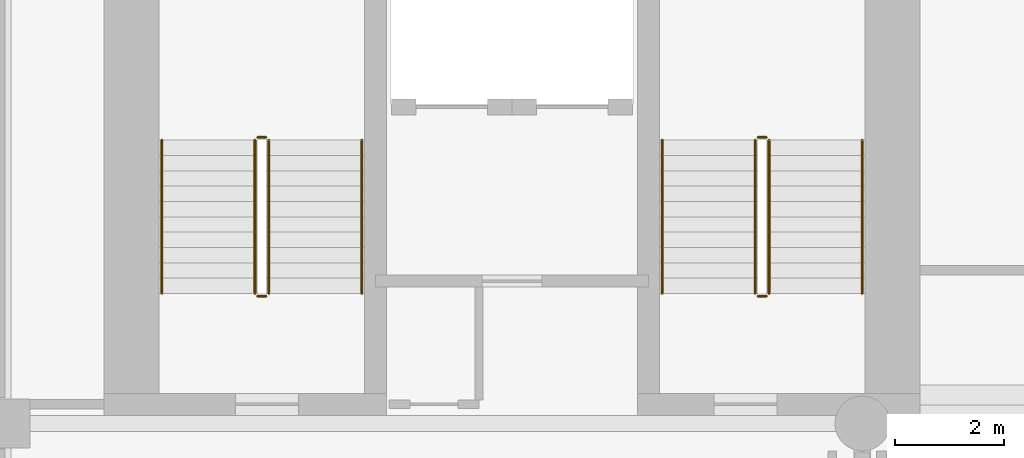
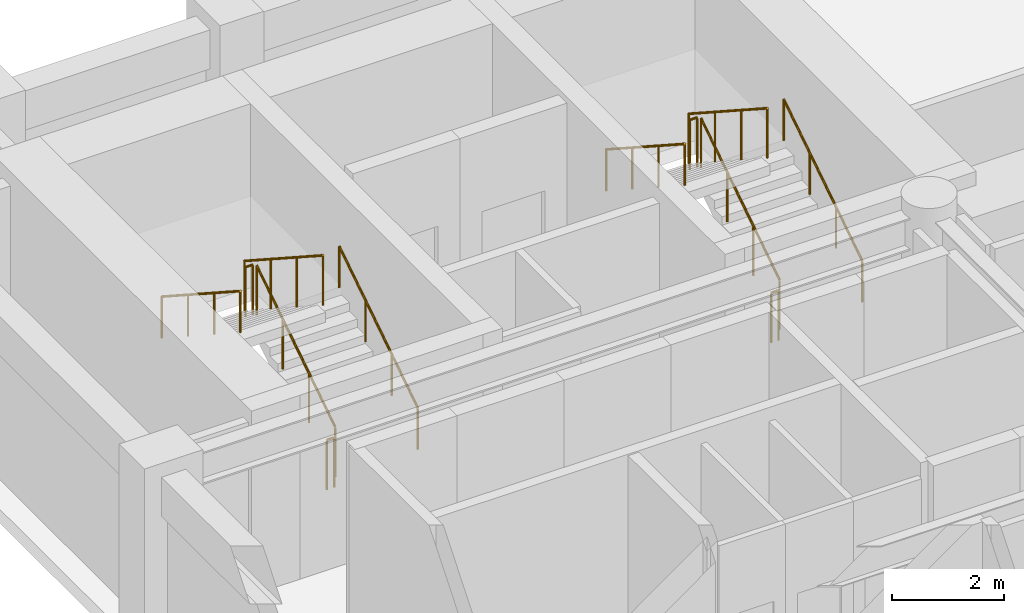
# One storey, part 6 of 8: 12 railings.
"""IFC4 building model written with IfcOpenShell, lengths in metres."""

from ifc_helpers import new_model, si_unit, direction, frame, origin, origin_2d, place, context, subcontext, project, spatial, circle, extrude, material, type_object, element, save


model = new_model("IFC4")

# Units and contexts
model_context = context("Model", 3, precision=1e-05, world=origin(), true_north=direction((0.0, 1.0)))
body_context = subcontext(model_context, "Body", "Model", "MODEL_VIEW")
ifc_project = project(units=[si_unit("LENGTHUNIT", "METRE"), si_unit("AREAUNIT", "SQUARE_METRE"), si_unit("VOLUMEUNIT", "CUBIC_METRE"), si_unit("PLANEANGLEUNIT", "RADIAN"), si_unit("MASSUNIT", "GRAM", prefix="KILO")], contexts=[model_context])

# Site, building, storey
site_placement = place(None, origin())
site = spatial("IfcSite", under=ifc_project, at=site_placement, CompositionType="ELEMENT")
building_placement = place(site_placement, origin())
building = spatial("IfcBuilding", under=site, at=building_placement, Name="Sulina Concourse Tower", CompositionType="ELEMENT")
storey_placement = place(building_placement, frame((0.0, 0.0, 42.60009765625)))
storey = spatial("IfcBuildingStorey", under=building, at=storey_placement, Name="L10", CompositionType="ELEMENT", Elevation=42.60009765625)

# Railings
ifc_material_1 = material(Name="Galvanised steel railing", Category="steel")
railing_type_1 = type_object("IfcRailingType", Name="Core Stair Steel Guardrail 1150mm", PredefinedType="GUARDRAIL", material=ifc_material_1)
railing_1_placement = place(storey_placement, frame((5.554931640625, 36.375, 0.181640625)))
element("IfcRailing", 1, at=railing_1_placement, inside=storey, type_object=railing_type_1, Name="L10 ST-1 stair guard 1", PredefinedType="GUARDRAIL", context=body_context, shape_type="SweptSolid", body=[
    extrude(circle(Radius=0.02392578125, at=origin_2d()), frame((0.0, 0.0, 1.076171875), z_axis=(0.0, 0.838672427954, 0.544636170843), x_axis=(-1.0, 0.0, 0.0)), (0.0, 0.0, 1.0), 3.338623046875),
    extrude(circle(Radius=0.02099609375, at=origin_2d()), origin(), (0.0, 0.0, 1.0), 1.052001953125),
    extrude(circle(Radius=0.02099609375, at=origin_2d()), frame((0.0, 0.933349609375, 0.606201171875)), (0.0, 0.0, 1.0), 1.052001953125),
    extrude(circle(Radius=0.02099609375, at=origin_2d()), frame((0.0, 1.86669921875, 1.212158203125)), (0.0, 0.0, 1.0), 1.052001953125),
    extrude(circle(Radius=0.02099609375, at=origin_2d()), frame((0.0, 2.800048828125, 1.818359375)), (0.0, 0.0, 1.0), 1.052001953125),
])
railing_2_placement = place(storey_placement, frame((5.5048828125, 39.22509765625, 2.0)))
element("IfcRailing", 2, at=railing_2_placement, inside=storey, type_object=railing_type_1, Name="L10 ST-1 stair guard 2", PredefinedType="GUARDRAIL", context=body_context, shape_type="SweptSolid", body=[
    extrude(circle(Radius=0.02392578125, at=origin_2d()), frame((0.0, 0.0, 1.076171875), z_axis=(-1.0, 0.0, 0.0), x_axis=(0.0, -1.0, 0.0)), (0.0, 0.0, 1.0), 0.14990234375),
    extrude(circle(Radius=0.02099609375, at=origin_2d()), origin(), (0.0, 0.0, 1.0), 1.052001953125),
    extrude(circle(Radius=0.02099609375, at=origin_2d()), frame((-0.14990234375, 0.0, 0.0)), (0.0, 0.0, 1.0), 1.052001953125),
])
railing_3_placement = place(storey_placement, frame((5.304931640625, 39.175048828125, 2.181640625)))
element("IfcRailing", 3, at=railing_3_placement, inside=storey, type_object=railing_type_1, Name="L10 ST-1 stair guard 3", PredefinedType="GUARDRAIL", context=body_context, shape_type="SweptSolid", body=[
    extrude(circle(Radius=0.02392578125, at=origin_2d()), frame((0.0, 0.0, 1.076171875), z_axis=(0.0, -0.838672427954, 0.544636170843), x_axis=(1.0, 0.0, 0.0)), (0.0, 0.0, 1.0), 3.338623046875),
    extrude(circle(Radius=0.02099609375, at=origin_2d()), origin(), (0.0, 0.0, 1.0), 1.052001953125),
    extrude(circle(Radius=0.02099609375, at=origin_2d()), frame((0.0, -0.933349609375, 0.606201171875)), (0.0, 0.0, 1.0), 1.052001953125),
    extrude(circle(Radius=0.02099609375, at=origin_2d()), frame((0.0, -1.86669921875, 1.212158203125)), (0.0, 0.0, 1.0), 1.052001953125),
    extrude(circle(Radius=0.02099609375, at=origin_2d()), frame((0.0, -2.800048828125, 1.818359375)), (0.0, 0.0, 1.0), 1.052001953125),
])
railing_4_placement = place(storey_placement, frame((5.5048828125, 36.324951171875, 0.0)))
element("IfcRailing", 4, at=railing_4_placement, inside=storey, type_object=railing_type_1, Name="L10 ST-1 stair guard 4", PredefinedType="GUARDRAIL", context=body_context, shape_type="SweptSolid", body=[
    extrude(circle(Radius=0.02392578125, at=origin_2d()), frame((0.0, 0.0, 1.076171875), z_axis=(-1.0, 0.0, 0.0), x_axis=(0.0, -1.0, 0.0)), (0.0, 0.0, 1.0), 0.14990234375),
    extrude(circle(Radius=0.02099609375, at=origin_2d()), origin(), (0.0, 0.0, 1.0), 1.052001953125),
    extrude(circle(Radius=0.02099609375, at=origin_2d()), frame((-0.14990234375, 0.0, 0.0)), (0.0, 0.0, 1.0), 1.052001953125),
])
railing_5_placement = place(storey_placement, frame((14.695068359375, 36.375, 0.181640625)))
element("IfcRailing", 5, at=railing_5_placement, inside=storey, type_object=railing_type_1, Name="L10 ST-2 stair guard 1", PredefinedType="GUARDRAIL", context=body_context, shape_type="SweptSolid", body=[
    extrude(circle(Radius=0.02392578125, at=origin_2d()), frame((0.0, 0.0, 1.076171875), z_axis=(0.0, 0.838672427954, 0.544636170843), x_axis=(-1.0, 0.0, 0.0)), (0.0, 0.0, 1.0), 3.338623046875),
    extrude(circle(Radius=0.02099609375, at=origin_2d()), origin(), (0.0, 0.0, 1.0), 1.052001953125),
    extrude(circle(Radius=0.02099609375, at=origin_2d()), frame((0.0, 0.933349609375, 0.606201171875)), (0.0, 0.0, 1.0), 1.052001953125),
    extrude(circle(Radius=0.02099609375, at=origin_2d()), frame((0.0, 1.86669921875, 1.212158203125)), (0.0, 0.0, 1.0), 1.052001953125),
    extrude(circle(Radius=0.02099609375, at=origin_2d()), frame((0.0, 2.800048828125, 1.818359375)), (0.0, 0.0, 1.0), 1.052001953125),
])
railing_6_placement = place(storey_placement, frame((14.64501953125, 39.22509765625, 2.0)))
element("IfcRailing", 6, at=railing_6_placement, inside=storey, type_object=railing_type_1, Name="L10 ST-2 stair guard 2", PredefinedType="GUARDRAIL", context=body_context, shape_type="SweptSolid", body=[
    extrude(circle(Radius=0.02392578125, at=origin_2d()), frame((0.0, 0.0, 1.076171875), z_axis=(-1.0, 0.0, 0.0), x_axis=(0.0, -1.0, 0.0)), (0.0, 0.0, 1.0), 0.14990234375),
    extrude(circle(Radius=0.02099609375, at=origin_2d()), origin(), (0.0, 0.0, 1.0), 1.052001953125),
    extrude(circle(Radius=0.02099609375, at=origin_2d()), frame((-0.14990234375, 0.0, 0.0)), (0.0, 0.0, 1.0), 1.052001953125),
])
railing_7_placement = place(storey_placement, frame((14.445068359375, 39.175048828125, 2.181640625)))
element("IfcRailing", 7, at=railing_7_placement, inside=storey, type_object=railing_type_1, Name="L10 ST-2 stair guard 3", PredefinedType="GUARDRAIL", context=body_context, shape_type="SweptSolid", body=[
    extrude(circle(Radius=0.02392578125, at=origin_2d()), frame((0.0, 0.0, 1.076171875), z_axis=(0.0, -0.838672427954, 0.544636170843), x_axis=(1.0, 0.0, 0.0)), (0.0, 0.0, 1.0), 3.338623046875),
    extrude(circle(Radius=0.02099609375, at=origin_2d()), origin(), (0.0, 0.0, 1.0), 1.052001953125),
    extrude(circle(Radius=0.02099609375, at=origin_2d()), frame((0.0, -0.933349609375, 0.606201171875)), (0.0, 0.0, 1.0), 1.052001953125),
    extrude(circle(Radius=0.02099609375, at=origin_2d()), frame((0.0, -1.86669921875, 1.212158203125)), (0.0, 0.0, 1.0), 1.052001953125),
    extrude(circle(Radius=0.02099609375, at=origin_2d()), frame((0.0, -2.800048828125, 1.818359375)), (0.0, 0.0, 1.0), 1.052001953125),
])
railing_8_placement = place(storey_placement, frame((14.64501953125, 36.324951171875, 0.0)))
element("IfcRailing", 8, at=railing_8_placement, inside=storey, type_object=railing_type_1, Name="L10 ST-2 stair guard 4", PredefinedType="GUARDRAIL", context=body_context, shape_type="SweptSolid", body=[
    extrude(circle(Radius=0.02392578125, at=origin_2d()), frame((0.0, 0.0, 1.076171875), z_axis=(-1.0, 0.0, 0.0), x_axis=(0.0, -1.0, 0.0)), (0.0, 0.0, 1.0), 0.14990234375),
    extrude(circle(Radius=0.02099609375, at=origin_2d()), origin(), (0.0, 0.0, 1.0), 1.052001953125),
    extrude(circle(Radius=0.02099609375, at=origin_2d()), frame((-0.14990234375, 0.0, 0.0)), (0.0, 0.0, 1.0), 1.052001953125),
])
ifc_material_2 = material(Name="Galvanised steel railing", Category="steel")
railing_type_2 = type_object("IfcRailingType", Name="Stair Wall Steel Handrail 920mm", PredefinedType="HANDRAIL", material=ifc_material_2)
railing_9_placement = place(storey_placement, frame((7.2548828125, 36.375, 0.181640625)))
element("IfcRailing", 9, at=railing_9_placement, inside=storey, type_object=railing_type_2, Name="L10 ST-1 stair handrail 1", PredefinedType="HANDRAIL", context=body_context, shape_type="SweptSolid", body=[
    extrude(circle(Radius=0.02392578125, at=origin_2d()), frame((0.0, 0.0, 0.89599609375), z_axis=(0.0, 0.838672427954, 0.544636170843), x_axis=(-1.0, 0.0, 0.0)), (0.0, 0.0, 1.0), 3.338623046875),
    extrude(circle(Radius=0.02099609375, at=origin_2d()), origin(), (0.0, 0.0, 1.0), 0.871826171875),
    extrude(circle(Radius=0.02099609375, at=origin_2d()), frame((0.0, 0.933349609375, 0.606201171875)), (0.0, 0.0, 1.0), 0.871826171875),
    extrude(circle(Radius=0.02099609375, at=origin_2d()), frame((0.0, 1.86669921875, 1.212158203125)), (0.0, 0.0, 1.0), 0.871826171875),
    extrude(circle(Radius=0.02099609375, at=origin_2d()), frame((0.0, 2.800048828125, 1.818359375)), (0.0, 0.0, 1.0), 0.871826171875),
])
railing_10_placement = place(storey_placement, frame((3.60498046875, 39.175048828125, 2.181640625)))
element("IfcRailing", 10, at=railing_10_placement, inside=storey, type_object=railing_type_2, Name="L10 ST-1 stair handrail 2", PredefinedType="HANDRAIL", context=body_context, shape_type="SweptSolid", body=[
    extrude(circle(Radius=0.02392578125, at=origin_2d()), frame((0.0, 0.0, 0.89599609375), z_axis=(0.0, -0.838672427954, 0.544636170843), x_axis=(1.0, 0.0, 0.0)), (0.0, 0.0, 1.0), 3.338623046875),
    extrude(circle(Radius=0.02099609375, at=origin_2d()), origin(), (0.0, 0.0, 1.0), 0.871826171875),
    extrude(circle(Radius=0.02099609375, at=origin_2d()), frame((0.0, -0.933349609375, 0.606201171875)), (0.0, 0.0, 1.0), 0.871826171875),
    extrude(circle(Radius=0.02099609375, at=origin_2d()), frame((0.0, -1.86669921875, 1.212158203125)), (0.0, 0.0, 1.0), 0.871826171875),
    extrude(circle(Radius=0.02099609375, at=origin_2d()), frame((0.0, -2.800048828125, 1.818359375)), (0.0, 0.0, 1.0), 0.871826171875),
])
railing_11_placement = place(storey_placement, frame((16.39501953125, 36.375, 0.181640625)))
element("IfcRailing", 11, at=railing_11_placement, inside=storey, type_object=railing_type_2, Name="L10 ST-2 stair handrail 1", PredefinedType="HANDRAIL", context=body_context, shape_type="SweptSolid", body=[
    extrude(circle(Radius=0.02392578125, at=origin_2d()), frame((0.0, 0.0, 0.89599609375), z_axis=(0.0, 0.838672427954, 0.544636170843), x_axis=(-1.0, 0.0, 0.0)), (0.0, 0.0, 1.0), 3.338623046875),
    extrude(circle(Radius=0.02099609375, at=origin_2d()), origin(), (0.0, 0.0, 1.0), 0.871826171875),
    extrude(circle(Radius=0.02099609375, at=origin_2d()), frame((0.0, 0.933349609375, 0.606201171875)), (0.0, 0.0, 1.0), 0.871826171875),
    extrude(circle(Radius=0.02099609375, at=origin_2d()), frame((0.0, 1.86669921875, 1.212158203125)), (0.0, 0.0, 1.0), 0.871826171875),
    extrude(circle(Radius=0.02099609375, at=origin_2d()), frame((0.0, 2.800048828125, 1.818359375)), (0.0, 0.0, 1.0), 0.871826171875),
])
railing_12_placement = place(storey_placement, frame((12.7451171875, 39.175048828125, 2.181640625)))
element("IfcRailing", 12, at=railing_12_placement, inside=storey, type_object=railing_type_2, Name="L10 ST-2 stair handrail 2", PredefinedType="HANDRAIL", context=body_context, shape_type="SweptSolid", body=[
    extrude(circle(Radius=0.02392578125, at=origin_2d()), frame((0.0, 0.0, 0.89599609375), z_axis=(0.0, -0.838672427954, 0.544636170843), x_axis=(1.0, 0.0, 0.0)), (0.0, 0.0, 1.0), 3.338623046875),
    extrude(circle(Radius=0.02099609375, at=origin_2d()), origin(), (0.0, 0.0, 1.0), 0.871826171875),
    extrude(circle(Radius=0.02099609375, at=origin_2d()), frame((0.0, -0.933349609375, 0.606201171875)), (0.0, 0.0, 1.0), 0.871826171875),
    extrude(circle(Radius=0.02099609375, at=origin_2d()), frame((0.0, -1.86669921875, 1.212158203125)), (0.0, 0.0, 1.0), 0.871826171875),
    extrude(circle(Radius=0.02099609375, at=origin_2d()), frame((0.0, -2.800048828125, 1.818359375)), (0.0, 0.0, 1.0), 0.871826171875),
])

save(model, "model.ifc")
